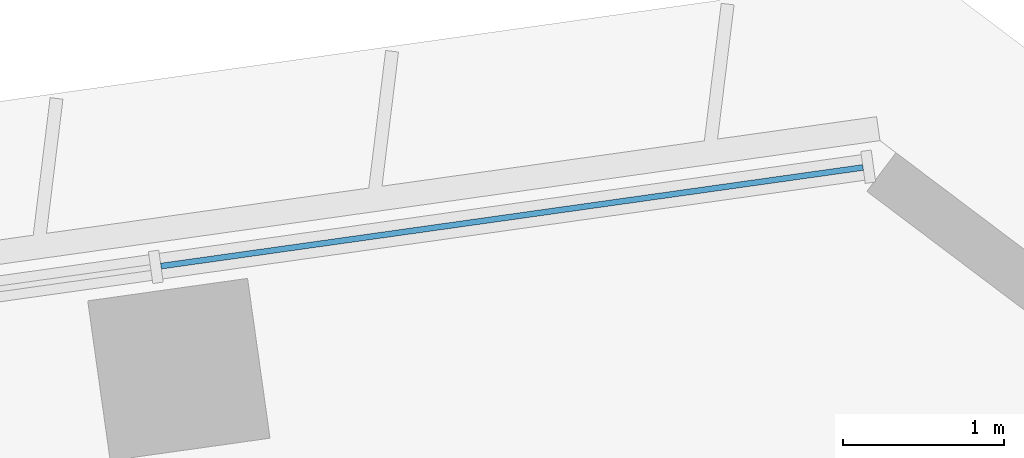
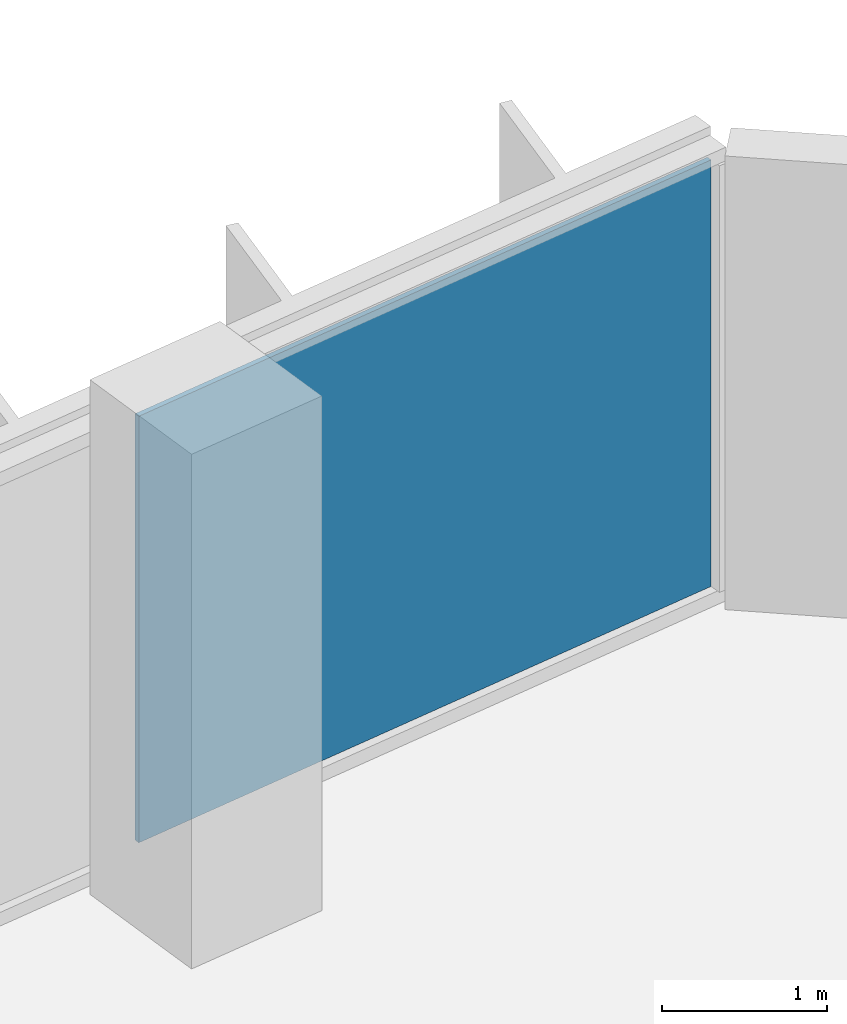
# One storey, part 13 of 24: 1 plate, 1 element without a shape of its own.
"""IFC4 building model written with IfcOpenShell, lengths in metres."""

from ifc_helpers import new_model, si_unit, direction, frame, origin, origin_2d, place, context, subcontext, project, spatial, rectangle, extrude, material, layer, layer_set, type_object, element, aggregate, save


model = new_model("IFC4")

# Units and contexts
model_context = context("Model", 3, precision=1e-05, world=origin(), true_north=direction((0.0, 1.0)))
body_context = subcontext(model_context, "Body", "Model", "MODEL_VIEW")
ifc_project = project(units=[si_unit("LENGTHUNIT", "METRE"), si_unit("AREAUNIT", "SQUARE_METRE"), si_unit("VOLUMEUNIT", "CUBIC_METRE"), si_unit("PLANEANGLEUNIT", "RADIAN"), si_unit("MASSUNIT", "GRAM", prefix="KILO")], contexts=[model_context])

# Site, building, storey
site_placement = place(None, origin())
site = spatial("IfcSite", under=ifc_project, at=site_placement, CompositionType="ELEMENT")
building_placement = place(site_placement, origin())
building = spatial("IfcBuilding", under=site, at=building_placement, Name="Mirante Cascada Hotel Towers", CompositionType="ELEMENT")
storey_placement = place(building_placement, frame((0.0, 0.0, 47.1)))
storey = spatial("IfcBuildingStorey", under=building, at=storey_placement, Name="L08", CompositionType="ELEMENT", Elevation=47.1)

# Curtain wall, plate
ifc_material_1 = material(Name="Aluminium mullion and transom frame with clear laminated glass", Category="aluminium")
curtain_wall_type = type_object("IfcCurtainWallType", Name="Ribbon curtain wall ECW1", PredefinedType="NOTDEFINED", material=ifc_material_1)
curtain_wall_placement = place(storey_placement, origin())
curtain_wall = element("IfcCurtainWall", 1, at=curtain_wall_placement, inside=storey, type_object=curtain_wall_type, Name="Front ribbon wall T2 L08", PredefinedType="NOTDEFINED")
ifc_material_2 = material(Name="Clear laminated glass", Category="glass")
ifc_layer = layer(ifc_material_2, 0.036)
ifc_layer_set = layer_set([ifc_layer], Name="ECW1 glass panel 36")
plate_type = type_object("IfcPlateType", Name="ECW1 glass panel 36", PredefinedType="CURTAIN_PANEL", material=ifc_layer_set)
plate_placement = place(storey_placement, frame((91.9184, 25.7373, 0.1), z_axis=(0.0, 0.0, 1.0), x_axis=(-0.9902681, -0.1391731, 0.0)))
plate = element("IfcPlate", 2, at=plate_placement, type_object=plate_type, Name="ECW1 panel 1", PredefinedType="CURTAIN_PANEL", context=body_context, shape_type="SweptSolid", body=[
    extrude(rectangle(XDim=4.3936, YDim=0.036, at=origin_2d()), origin(), (0.0, 0.0, 1.0), 3.15),
])
aggregate(curtain_wall, [plate])

save(model, "model.ifc")
